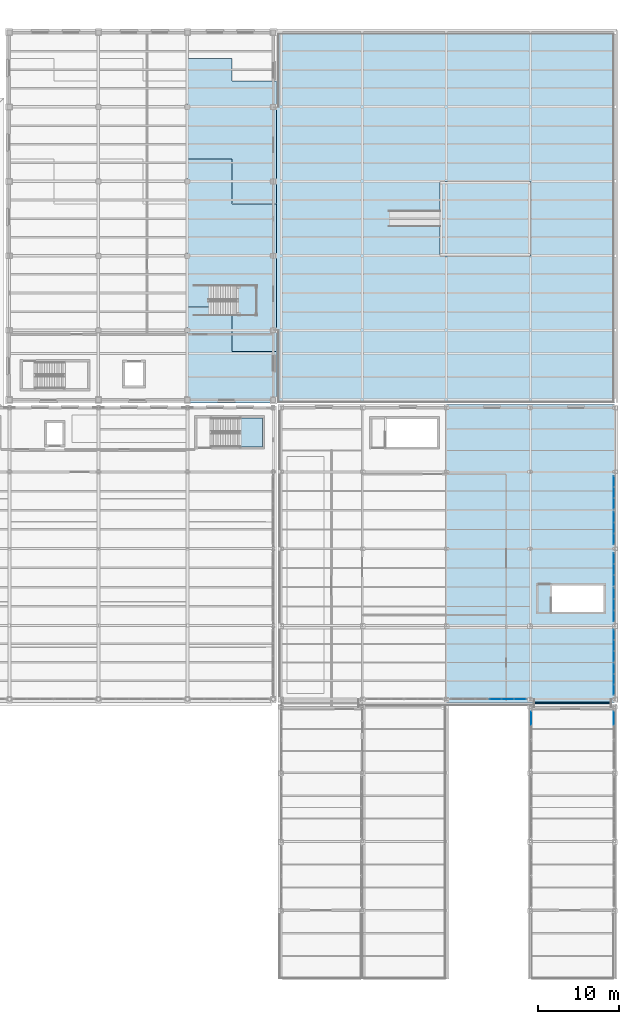
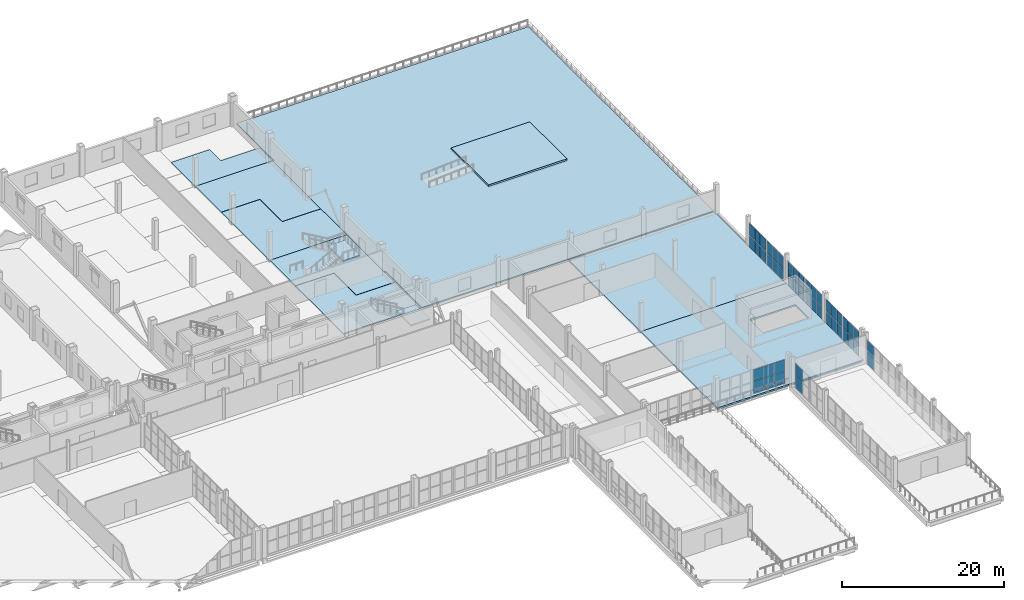
# One storey, part 110 of 156: 46 plates, 12 slabs, 11 elements without a shape of their own.
"""IFC4 building model written with IfcOpenShell, lengths in metres."""

from ifc_helpers import new_model, si_unit, direction, frame, origin, origin_2d, place, context, subcontext, project, spatial, polyline, rectangle, outline, extrude, material, layer, layer_set, type_object, element, aggregate, save


model = new_model("IFC4")

# Units and contexts
model_context = context("Model", 3, precision=1e-05, world=origin(), true_north=direction((0.0, 1.0)))
body_context = subcontext(model_context, "Body", "Model", "MODEL_VIEW")
ifc_project = project(units=[si_unit("LENGTHUNIT", "METRE"), si_unit("AREAUNIT", "SQUARE_METRE"), si_unit("VOLUMEUNIT", "CUBIC_METRE"), si_unit("PLANEANGLEUNIT", "RADIAN"), si_unit("MASSUNIT", "GRAM", prefix="KILO")], contexts=[model_context])

# Site, building, storey
site_placement = place(None, origin())
site = spatial("IfcSite", under=ifc_project, at=site_placement, CompositionType="ELEMENT")
building_placement = place(site_placement, origin())
building = spatial("IfcBuilding", under=site, at=building_placement, Name="Caurita Quay Ferry Terminal", CompositionType="ELEMENT")
storey_placement = place(building_placement, frame((0.0, 0.0, 5.39990234375)))
storey = spatial("IfcBuildingStorey", under=building, at=storey_placement, Name="L01", CompositionType="ELEMENT", Elevation=5.39990234375)

# Curtain wall, plates
ifc_material_1 = material(Name="Laminated solar-control insulated glass", Category="glass")
curtain_wall_type_1 = type_object("IfcCurtainWallType", Name="CW-SYS-16", PredefinedType="NOTDEFINED", material=ifc_material_1)
curtain_wall_1_placement = place(storey_placement, origin())
curtain_wall_1 = element("IfcCurtainWall", 1, at=curtain_wall_1_placement, inside=storey, type_object=curtain_wall_type_1, Name="Boarding Gangway Ribbon Curtain Wall 129", PredefinedType="NOTDEFINED")
ifc_layer_1 = layer(ifc_material_1, 0.02392578125, Name="Laminated low-e hurricane-rated glazing unit 24 mm")
ifc_layer_set_1 = layer_set([ifc_layer_1], Name="Laminated solar-control insulated glass")
plate_type_1 = type_object("IfcPlateType", Name="CW-PNL-24", PredefinedType="CURTAIN_PANEL", material=ifc_layer_set_1)
plate_1_placement = place(storey_placement, frame((163.699951171875, 32.237548828125, 0.05322265625), z_axis=(0.0, 0.0, 1.0), x_axis=(0.0, 1.0, 0.0)))
plate_1 = element("IfcPlate", 2, at=plate_1_placement, type_object=plate_type_1, Name="CW-BGW-129 Glazing Panel 3", PredefinedType="CURTAIN_PANEL", context=body_context, shape_type="SweptSolid", body=[
    extrude(rectangle(XDim=1.64892578125, YDim=0.02392578125, at=origin_2d()), origin(), (0.0, 0.0, 1.0), 1.79638671875),
])
plate_2_placement = place(storey_placement, frame((163.699951171875, 32.237548828125, 1.900634765625), z_axis=(0.0, 0.0, 1.0), x_axis=(0.0, 1.0, 0.0)))
plate_2 = element("IfcPlate", 3, at=plate_2_placement, type_object=plate_type_1, Name="CW-BGW-129 Glazing Panel 4", PredefinedType="CURTAIN_PANEL", context=body_context, shape_type="SweptSolid", body=[
    extrude(rectangle(XDim=1.64892578125, YDim=0.02392578125, at=origin_2d()), origin(), (0.0, 0.0, 1.0), 1.79638671875),
])
aggregate(curtain_wall_1, [plate_1, plate_2])

curtain_wall_2_placement = place(storey_placement, origin())
curtain_wall_2 = element("IfcCurtainWall", 4, at=curtain_wall_2_placement, inside=storey, type_object=curtain_wall_type_1, Name="Boarding Gangway Ribbon Curtain Wall 135", PredefinedType="NOTDEFINED")
plate_3_placement = place(storey_placement, frame((173.89990234375, 32.237548828125, 0.05322265625), z_axis=(0.0, 0.0, 1.0), x_axis=(0.0, 1.0, 0.0)))
plate_3 = element("IfcPlate", 5, at=plate_3_placement, type_object=plate_type_1, Name="CW-BGW-135 Glazing Panel 3", PredefinedType="CURTAIN_PANEL", context=body_context, shape_type="SweptSolid", body=[
    extrude(rectangle(XDim=1.64892578125, YDim=0.02392578125, at=origin_2d()), origin(), (0.0, 0.0, 1.0), 1.79638671875),
])
plate_4_placement = place(storey_placement, frame((173.89990234375, 32.237548828125, 1.900634765625), z_axis=(0.0, 0.0, 1.0), x_axis=(0.0, 1.0, 0.0)))
plate_4 = element("IfcPlate", 6, at=plate_4_placement, type_object=plate_type_1, Name="CW-BGW-135 Glazing Panel 4", PredefinedType="CURTAIN_PANEL", context=body_context, shape_type="SweptSolid", body=[
    extrude(rectangle(XDim=1.64892578125, YDim=0.02392578125, at=origin_2d()), origin(), (0.0, 0.0, 1.0), 1.79638671875),
])
aggregate(curtain_wall_2, [plate_3, plate_4])

curtain_wall_type_2 = type_object("IfcCurtainWallType", Name="CW-SYS-10", PredefinedType="NOTDEFINED", material=ifc_material_1)
curtain_wall_3_placement = place(storey_placement, origin())
curtain_wall_3 = element("IfcCurtainWall", 7, at=curtain_wall_3_placement, inside=storey, type_object=curtain_wall_type_2, Name="V3 Waterside Concourse Curtain Wall 076", PredefinedType="NOTDEFINED")
ifc_layer_2 = layer(ifc_material_1, 0.028076171875, Name="Laminated low-e hurricane-rated glazing unit 28 mm")
ifc_layer_set_2 = layer_set([ifc_layer_2], Name="Laminated solar-control insulated glass")
plate_type_2 = type_object("IfcPlateType", Name="CW-PNL-28", PredefinedType="CURTAIN_PANEL", material=ifc_layer_set_2)
plate_5_placement = place(storey_placement, frame((159.281982421875, 34.60009765625, 0.06298828125), z_axis=(0.0, 0.0, 1.0), x_axis=(1.0, 0.0, 0.0)))
plate_5 = element("IfcPlate", 8, at=plate_5_placement, type_object=plate_type_2, Name="CW-SEA-076 Glazing Panel 1", PredefinedType="CURTAIN_PANEL", context=body_context, shape_type="SweptSolid", body=[
    extrude(rectangle(XDim=1.418212890625, YDim=0.028076171875, at=origin_2d()), origin(), (0.0, 0.0, 1.0), 1.756591796875),
])
plate_6_placement = place(storey_placement, frame((159.281982421875, 34.60009765625, 1.88037109375), z_axis=(0.0, 0.0, 1.0), x_axis=(1.0, 0.0, 0.0)))
plate_6 = element("IfcPlate", 9, at=plate_6_placement, type_object=plate_type_2, Name="CW-SEA-076 Glazing Panel 2", PredefinedType="CURTAIN_PANEL", context=body_context, shape_type="SweptSolid", body=[
    extrude(rectangle(XDim=1.418212890625, YDim=0.028076171875, at=origin_2d()), origin(), (0.0, 0.0, 1.0), 1.756591796875),
])
plate_7_placement = place(storey_placement, frame((160.7900390625, 34.60009765625, 0.06298828125), z_axis=(0.0, 0.0, 1.0), x_axis=(1.0, 0.0, 0.0)))
plate_7 = element("IfcPlate", 10, at=plate_7_placement, type_object=plate_type_2, Name="CW-SEA-076 Glazing Panel 3", PredefinedType="CURTAIN_PANEL", context=body_context, shape_type="SweptSolid", body=[
    extrude(rectangle(XDim=1.455810546875, YDim=0.028076171875, at=origin_2d()), origin(), (0.0, 0.0, 1.0), 1.756591796875),
])
plate_8_placement = place(storey_placement, frame((160.7900390625, 34.60009765625, 1.88037109375), z_axis=(0.0, 0.0, 1.0), x_axis=(1.0, 0.0, 0.0)))
plate_8 = element("IfcPlate", 11, at=plate_8_placement, type_object=plate_type_2, Name="CW-SEA-076 Glazing Panel 4", PredefinedType="CURTAIN_PANEL", context=body_context, shape_type="SweptSolid", body=[
    extrude(rectangle(XDim=1.455810546875, YDim=0.028076171875, at=origin_2d()), origin(), (0.0, 0.0, 1.0), 1.756591796875),
])
plate_9_placement = place(storey_placement, frame((162.2978515625, 34.60009765625, 0.06298828125), z_axis=(0.0, 0.0, 1.0), x_axis=(1.0, 0.0, 0.0)))
plate_9 = element("IfcPlate", 12, at=plate_9_placement, type_object=plate_type_2, Name="CW-SEA-076 Glazing Panel 5", PredefinedType="CURTAIN_PANEL", context=body_context, shape_type="SweptSolid", body=[
    extrude(rectangle(XDim=1.418212890625, YDim=0.028076171875, at=origin_2d()), origin(), (0.0, 0.0, 1.0), 1.756591796875),
])
plate_10_placement = place(storey_placement, frame((162.2978515625, 34.60009765625, 1.88037109375), z_axis=(0.0, 0.0, 1.0), x_axis=(1.0, 0.0, 0.0)))
plate_10 = element("IfcPlate", 13, at=plate_10_placement, type_object=plate_type_2, Name="CW-SEA-076 Glazing Panel 6", PredefinedType="CURTAIN_PANEL", context=body_context, shape_type="SweptSolid", body=[
    extrude(rectangle(XDim=1.418212890625, YDim=0.028076171875, at=origin_2d()), origin(), (0.0, 0.0, 1.0), 1.756591796875),
])
aggregate(curtain_wall_3, [plate_5, plate_6, plate_7, plate_8, plate_9, plate_10])

curtain_wall_type_3 = type_object("IfcCurtainWallType", Name="CW-SYS-18", PredefinedType="NOTDEFINED", material=ifc_material_1)
curtain_wall_4_placement = place(storey_placement, origin())
curtain_wall_4 = element("IfcCurtainWall", 14, at=curtain_wall_4_placement, inside=storey, type_object=curtain_wall_type_3, Name="Boarding Headhouse East Curtain Wall 136", PredefinedType="NOTDEFINED")
plate_11_placement = place(storey_placement, frame((173.89990234375, 35.7578125, 0.05810546875), z_axis=(0.0, 0.0, 1.0), x_axis=(0.0, 1.0, 0.0)))
plate_11 = element("IfcPlate", 15, at=plate_11_placement, type_object=plate_type_2, Name="CW-V3E-136 Glazing Panel 1", PredefinedType="CURTAIN_PANEL", context=body_context, shape_type="SweptSolid", body=[
    extrude(rectangle(XDim=1.229736328125, YDim=0.028076171875, at=origin_2d()), origin(), (0.0, 0.0, 1.0), 1.7890625),
])
plate_12_placement = place(storey_placement, frame((173.89990234375, 35.7578125, 1.903076171875), z_axis=(0.0, 0.0, 1.0), x_axis=(0.0, 1.0, 0.0)))
plate_12 = element("IfcPlate", 16, at=plate_12_placement, type_object=plate_type_2, Name="CW-V3E-136 Glazing Panel 2", PredefinedType="CURTAIN_PANEL", context=body_context, shape_type="SweptSolid", body=[
    extrude(rectangle(XDim=1.229736328125, YDim=0.028076171875, at=origin_2d()), origin(), (0.0, 0.0, 1.0), 1.7890625),
])
plate_13_placement = place(storey_placement, frame((173.89990234375, 37.06494140625, 0.05810546875), z_axis=(0.0, 0.0, 1.0), x_axis=(0.0, 1.0, 0.0)))
plate_13 = element("IfcPlate", 17, at=plate_13_placement, type_object=plate_type_2, Name="CW-V3E-136 Glazing Panel 3", PredefinedType="CURTAIN_PANEL", context=body_context, shape_type="SweptSolid", body=[
    extrude(rectangle(XDim=1.26220703125, YDim=0.028076171875, at=origin_2d()), origin(), (0.0, 0.0, 1.0), 1.7890625),
])
plate_14_placement = place(storey_placement, frame((173.89990234375, 37.06494140625, 1.903076171875), z_axis=(0.0, 0.0, 1.0), x_axis=(0.0, 1.0, 0.0)))
plate_14 = element("IfcPlate", 18, at=plate_14_placement, type_object=plate_type_2, Name="CW-V3E-136 Glazing Panel 4", PredefinedType="CURTAIN_PANEL", context=body_context, shape_type="SweptSolid", body=[
    extrude(rectangle(XDim=1.26220703125, YDim=0.028076171875, at=origin_2d()), origin(), (0.0, 0.0, 1.0), 1.7890625),
])
plate_15_placement = place(storey_placement, frame((173.89990234375, 38.3720703125, 0.05810546875), z_axis=(0.0, 0.0, 1.0), x_axis=(0.0, 1.0, 0.0)))
plate_15 = element("IfcPlate", 19, at=plate_15_placement, type_object=plate_type_2, Name="CW-V3E-136 Glazing Panel 5", PredefinedType="CURTAIN_PANEL", context=body_context, shape_type="SweptSolid", body=[
    extrude(rectangle(XDim=1.229736328125, YDim=0.028076171875, at=origin_2d()), origin(), (0.0, 0.0, 1.0), 1.7890625),
])
plate_16_placement = place(storey_placement, frame((173.89990234375, 38.3720703125, 1.903076171875), z_axis=(0.0, 0.0, 1.0), x_axis=(0.0, 1.0, 0.0)))
plate_16 = element("IfcPlate", 20, at=plate_16_placement, type_object=plate_type_2, Name="CW-V3E-136 Glazing Panel 6", PredefinedType="CURTAIN_PANEL", context=body_context, shape_type="SweptSolid", body=[
    extrude(rectangle(XDim=1.229736328125, YDim=0.028076171875, at=origin_2d()), origin(), (0.0, 0.0, 1.0), 1.7890625),
])
aggregate(curtain_wall_4, [plate_11, plate_12, plate_13, plate_14, plate_15, plate_16])

curtain_wall_5_placement = place(storey_placement, origin())
curtain_wall_5 = element("IfcCurtainWall", 21, at=curtain_wall_5_placement, inside=storey, type_object=curtain_wall_type_3, Name="Boarding Headhouse East Curtain Wall 137", PredefinedType="NOTDEFINED")
plate_17_placement = place(storey_placement, frame((173.89990234375, 39.927978515625, 0.05810546875), z_axis=(0.0, 0.0, 1.0), x_axis=(0.0, 1.0, 0.0)))
plate_17 = element("IfcPlate", 22, at=plate_17_placement, type_object=plate_type_2, Name="CW-V3E-137 Glazing Panel 1", PredefinedType="CURTAIN_PANEL", context=body_context, shape_type="SweptSolid", body=[
    extrude(rectangle(XDim=1.229736328125, YDim=0.028076171875, at=origin_2d()), origin(), (0.0, 0.0, 1.0), 1.7890625),
])
plate_18_placement = place(storey_placement, frame((173.89990234375, 39.927978515625, 1.903076171875), z_axis=(0.0, 0.0, 1.0), x_axis=(0.0, 1.0, 0.0)))
plate_18 = element("IfcPlate", 23, at=plate_18_placement, type_object=plate_type_2, Name="CW-V3E-137 Glazing Panel 2", PredefinedType="CURTAIN_PANEL", context=body_context, shape_type="SweptSolid", body=[
    extrude(rectangle(XDim=1.229736328125, YDim=0.028076171875, at=origin_2d()), origin(), (0.0, 0.0, 1.0), 1.7890625),
])
plate_19_placement = place(storey_placement, frame((173.89990234375, 41.235107421875, 0.05810546875), z_axis=(0.0, 0.0, 1.0), x_axis=(0.0, 1.0, 0.0)))
plate_19 = element("IfcPlate", 24, at=plate_19_placement, type_object=plate_type_2, Name="CW-V3E-137 Glazing Panel 3", PredefinedType="CURTAIN_PANEL", context=body_context, shape_type="SweptSolid", body=[
    extrude(rectangle(XDim=1.26220703125, YDim=0.028076171875, at=origin_2d()), origin(), (0.0, 0.0, 1.0), 1.7890625),
])
plate_20_placement = place(storey_placement, frame((173.89990234375, 41.235107421875, 1.903076171875), z_axis=(0.0, 0.0, 1.0), x_axis=(0.0, 1.0, 0.0)))
plate_20 = element("IfcPlate", 25, at=plate_20_placement, type_object=plate_type_2, Name="CW-V3E-137 Glazing Panel 4", PredefinedType="CURTAIN_PANEL", context=body_context, shape_type="SweptSolid", body=[
    extrude(rectangle(XDim=1.26220703125, YDim=0.028076171875, at=origin_2d()), origin(), (0.0, 0.0, 1.0), 1.7890625),
])
plate_21_placement = place(storey_placement, frame((173.89990234375, 42.5419921875, 0.05810546875), z_axis=(0.0, 0.0, 1.0), x_axis=(0.0, 1.0, 0.0)))
plate_21 = element("IfcPlate", 26, at=plate_21_placement, type_object=plate_type_2, Name="CW-V3E-137 Glazing Panel 5", PredefinedType="CURTAIN_PANEL", context=body_context, shape_type="SweptSolid", body=[
    extrude(rectangle(XDim=1.229736328125, YDim=0.028076171875, at=origin_2d()), origin(), (0.0, 0.0, 1.0), 1.7890625),
])
plate_22_placement = place(storey_placement, frame((173.89990234375, 42.5419921875, 1.903076171875), z_axis=(0.0, 0.0, 1.0), x_axis=(0.0, 1.0, 0.0)))
plate_22 = element("IfcPlate", 27, at=plate_22_placement, type_object=plate_type_2, Name="CW-V3E-137 Glazing Panel 6", PredefinedType="CURTAIN_PANEL", context=body_context, shape_type="SweptSolid", body=[
    extrude(rectangle(XDim=1.229736328125, YDim=0.028076171875, at=origin_2d()), origin(), (0.0, 0.0, 1.0), 1.7890625),
])
aggregate(curtain_wall_5, [plate_17, plate_18, plate_19, plate_20, plate_21, plate_22])

curtain_wall_type_4 = type_object("IfcCurtainWallType", Name="CW-SYS-19", PredefinedType="NOTDEFINED", material=ifc_material_1)
curtain_wall_6_placement = place(storey_placement, origin())
curtain_wall_6 = element("IfcCurtainWall", 28, at=curtain_wall_6_placement, inside=storey, type_object=curtain_wall_type_4, Name="Boarding Headhouse East Curtain Wall 138", PredefinedType="NOTDEFINED")
plate_23_placement = place(storey_placement, frame((173.89990234375, 44.89111328125, 0.05810546875), z_axis=(0.0, 0.0, 1.0), x_axis=(0.0, 1.0, 0.0)))
plate_23 = element("IfcPlate", 29, at=plate_23_placement, type_object=plate_type_2, Name="CW-V3E-138 Glazing Panel 1", PredefinedType="CURTAIN_PANEL", context=body_context, shape_type="SweptSolid", body=[
    extrude(rectangle(XDim=1.29638671875, YDim=0.028076171875, at=origin_2d()), origin(), (0.0, 0.0, 1.0), 1.7890625),
])
plate_24_placement = place(storey_placement, frame((173.89990234375, 44.89111328125, 1.903076171875), z_axis=(0.0, 0.0, 1.0), x_axis=(0.0, 1.0, 0.0)))
plate_24 = element("IfcPlate", 30, at=plate_24_placement, type_object=plate_type_2, Name="CW-V3E-138 Glazing Panel 2", PredefinedType="CURTAIN_PANEL", context=body_context, shape_type="SweptSolid", body=[
    extrude(rectangle(XDim=1.29638671875, YDim=0.028076171875, at=origin_2d()), origin(), (0.0, 0.0, 1.0), 1.7890625),
])
plate_25_placement = place(storey_placement, frame((173.89990234375, 46.264892578125, 0.05810546875), z_axis=(0.0, 0.0, 1.0), x_axis=(0.0, 1.0, 0.0)))
plate_25 = element("IfcPlate", 31, at=plate_25_placement, type_object=plate_type_2, Name="CW-V3E-138 Glazing Panel 3", PredefinedType="CURTAIN_PANEL", context=body_context, shape_type="SweptSolid", body=[
    extrude(rectangle(XDim=1.3291015625, YDim=0.028076171875, at=origin_2d()), origin(), (0.0, 0.0, 1.0), 1.7890625),
])
plate_26_placement = place(storey_placement, frame((173.89990234375, 46.264892578125, 1.903076171875), z_axis=(0.0, 0.0, 1.0), x_axis=(0.0, 1.0, 0.0)))
plate_26 = element("IfcPlate", 32, at=plate_26_placement, type_object=plate_type_2, Name="CW-V3E-138 Glazing Panel 4", PredefinedType="CURTAIN_PANEL", context=body_context, shape_type="SweptSolid", body=[
    extrude(rectangle(XDim=1.3291015625, YDim=0.028076171875, at=origin_2d()), origin(), (0.0, 0.0, 1.0), 1.7890625),
])
plate_27_placement = place(storey_placement, frame((173.89990234375, 47.638916015625, 0.05810546875), z_axis=(0.0, 0.0, 1.0), x_axis=(0.0, 1.0, 0.0)))
plate_27 = element("IfcPlate", 33, at=plate_27_placement, type_object=plate_type_2, Name="CW-V3E-138 Glazing Panel 5", PredefinedType="CURTAIN_PANEL", context=body_context, shape_type="SweptSolid", body=[
    extrude(rectangle(XDim=1.29638671875, YDim=0.028076171875, at=origin_2d()), origin(), (0.0, 0.0, 1.0), 1.7890625),
])
plate_28_placement = place(storey_placement, frame((173.89990234375, 47.638916015625, 1.903076171875), z_axis=(0.0, 0.0, 1.0), x_axis=(0.0, 1.0, 0.0)))
plate_28 = element("IfcPlate", 34, at=plate_28_placement, type_object=plate_type_2, Name="CW-V3E-138 Glazing Panel 6", PredefinedType="CURTAIN_PANEL", context=body_context, shape_type="SweptSolid", body=[
    extrude(rectangle(XDim=1.29638671875, YDim=0.028076171875, at=origin_2d()), origin(), (0.0, 0.0, 1.0), 1.7890625),
])
aggregate(curtain_wall_6, [plate_23, plate_24, plate_25, plate_26, plate_27, plate_28])

curtain_wall_7_placement = place(storey_placement, origin())
curtain_wall_7 = element("IfcCurtainWall", 35, at=curtain_wall_7_placement, inside=storey, type_object=curtain_wall_type_4, Name="Boarding Headhouse East Curtain Wall 139", PredefinedType="NOTDEFINED")
plate_29_placement = place(storey_placement, frame((173.89990234375, 49.26123046875, 0.05810546875), z_axis=(0.0, 0.0, 1.0), x_axis=(0.0, 1.0, 0.0)))
plate_29 = element("IfcPlate", 36, at=plate_29_placement, type_object=plate_type_2, Name="CW-V3E-139 Glazing Panel 1", PredefinedType="CURTAIN_PANEL", context=body_context, shape_type="SweptSolid", body=[
    extrude(rectangle(XDim=1.29638671875, YDim=0.028076171875, at=origin_2d()), origin(), (0.0, 0.0, 1.0), 1.7890625),
])
plate_30_placement = place(storey_placement, frame((173.89990234375, 49.26123046875, 1.903076171875), z_axis=(0.0, 0.0, 1.0), x_axis=(0.0, 1.0, 0.0)))
plate_30 = element("IfcPlate", 37, at=plate_30_placement, type_object=plate_type_2, Name="CW-V3E-139 Glazing Panel 2", PredefinedType="CURTAIN_PANEL", context=body_context, shape_type="SweptSolid", body=[
    extrude(rectangle(XDim=1.29638671875, YDim=0.028076171875, at=origin_2d()), origin(), (0.0, 0.0, 1.0), 1.7890625),
])
plate_31_placement = place(storey_placement, frame((173.89990234375, 50.635009765625, 0.05810546875), z_axis=(0.0, 0.0, 1.0), x_axis=(0.0, 1.0, 0.0)))
plate_31 = element("IfcPlate", 38, at=plate_31_placement, type_object=plate_type_2, Name="CW-V3E-139 Glazing Panel 3", PredefinedType="CURTAIN_PANEL", context=body_context, shape_type="SweptSolid", body=[
    extrude(rectangle(XDim=1.3291015625, YDim=0.028076171875, at=origin_2d()), origin(), (0.0, 0.0, 1.0), 1.7890625),
])
plate_32_placement = place(storey_placement, frame((173.89990234375, 50.635009765625, 1.903076171875), z_axis=(0.0, 0.0, 1.0), x_axis=(0.0, 1.0, 0.0)))
plate_32 = element("IfcPlate", 39, at=plate_32_placement, type_object=plate_type_2, Name="CW-V3E-139 Glazing Panel 4", PredefinedType="CURTAIN_PANEL", context=body_context, shape_type="SweptSolid", body=[
    extrude(rectangle(XDim=1.3291015625, YDim=0.028076171875, at=origin_2d()), origin(), (0.0, 0.0, 1.0), 1.7890625),
])
plate_33_placement = place(storey_placement, frame((173.89990234375, 52.0087890625, 0.05810546875), z_axis=(0.0, 0.0, 1.0), x_axis=(0.0, 1.0, 0.0)))
plate_33 = element("IfcPlate", 40, at=plate_33_placement, type_object=plate_type_2, Name="CW-V3E-139 Glazing Panel 5", PredefinedType="CURTAIN_PANEL", context=body_context, shape_type="SweptSolid", body=[
    extrude(rectangle(XDim=1.29638671875, YDim=0.028076171875, at=origin_2d()), origin(), (0.0, 0.0, 1.0), 1.7890625),
])
plate_34_placement = place(storey_placement, frame((173.89990234375, 52.0087890625, 1.903076171875), z_axis=(0.0, 0.0, 1.0), x_axis=(0.0, 1.0, 0.0)))
plate_34 = element("IfcPlate", 41, at=plate_34_placement, type_object=plate_type_2, Name="CW-V3E-139 Glazing Panel 6", PredefinedType="CURTAIN_PANEL", context=body_context, shape_type="SweptSolid", body=[
    extrude(rectangle(XDim=1.29638671875, YDim=0.028076171875, at=origin_2d()), origin(), (0.0, 0.0, 1.0), 1.7890625),
])
aggregate(curtain_wall_7, [plate_29, plate_30, plate_31, plate_32, plate_33, plate_34])

curtain_wall_8_placement = place(storey_placement, origin())
curtain_wall_8 = element("IfcCurtainWall", 42, at=curtain_wall_8_placement, inside=storey, type_object=curtain_wall_type_4, Name="Boarding Headhouse East Curtain Wall 140", PredefinedType="NOTDEFINED")
plate_35_placement = place(storey_placement, frame((173.89990234375, 54.39111328125, 0.05810546875), z_axis=(0.0, 0.0, 1.0), x_axis=(0.0, 1.0, 0.0)))
plate_35 = element("IfcPlate", 43, at=plate_35_placement, type_object=plate_type_2, Name="CW-V3E-140 Glazing Panel 1", PredefinedType="CURTAIN_PANEL", context=body_context, shape_type="SweptSolid", body=[
    extrude(rectangle(XDim=1.29638671875, YDim=0.028076171875, at=origin_2d()), origin(), (0.0, 0.0, 1.0), 1.7890625),
])
plate_36_placement = place(storey_placement, frame((173.89990234375, 54.39111328125, 1.903076171875), z_axis=(0.0, 0.0, 1.0), x_axis=(0.0, 1.0, 0.0)))
plate_36 = element("IfcPlate", 44, at=plate_36_placement, type_object=plate_type_2, Name="CW-V3E-140 Glazing Panel 2", PredefinedType="CURTAIN_PANEL", context=body_context, shape_type="SweptSolid", body=[
    extrude(rectangle(XDim=1.29638671875, YDim=0.028076171875, at=origin_2d()), origin(), (0.0, 0.0, 1.0), 1.7890625),
])
plate_37_placement = place(storey_placement, frame((173.89990234375, 55.764892578125, 0.05810546875), z_axis=(0.0, 0.0, 1.0), x_axis=(0.0, 1.0, 0.0)))
plate_37 = element("IfcPlate", 45, at=plate_37_placement, type_object=plate_type_2, Name="CW-V3E-140 Glazing Panel 3", PredefinedType="CURTAIN_PANEL", context=body_context, shape_type="SweptSolid", body=[
    extrude(rectangle(XDim=1.3291015625, YDim=0.028076171875, at=origin_2d()), origin(), (0.0, 0.0, 1.0), 1.7890625),
])
plate_38_placement = place(storey_placement, frame((173.89990234375, 55.764892578125, 1.903076171875), z_axis=(0.0, 0.0, 1.0), x_axis=(0.0, 1.0, 0.0)))
plate_38 = element("IfcPlate", 46, at=plate_38_placement, type_object=plate_type_2, Name="CW-V3E-140 Glazing Panel 4", PredefinedType="CURTAIN_PANEL", context=body_context, shape_type="SweptSolid", body=[
    extrude(rectangle(XDim=1.3291015625, YDim=0.028076171875, at=origin_2d()), origin(), (0.0, 0.0, 1.0), 1.7890625),
])
plate_39_placement = place(storey_placement, frame((173.89990234375, 57.138916015625, 0.05810546875), z_axis=(0.0, 0.0, 1.0), x_axis=(0.0, 1.0, 0.0)))
plate_39 = element("IfcPlate", 47, at=plate_39_placement, type_object=plate_type_2, Name="CW-V3E-140 Glazing Panel 5", PredefinedType="CURTAIN_PANEL", context=body_context, shape_type="SweptSolid", body=[
    extrude(rectangle(XDim=1.29638671875, YDim=0.028076171875, at=origin_2d()), origin(), (0.0, 0.0, 1.0), 1.7890625),
])
plate_40_placement = place(storey_placement, frame((173.89990234375, 57.138916015625, 1.903076171875), z_axis=(0.0, 0.0, 1.0), x_axis=(0.0, 1.0, 0.0)))
plate_40 = element("IfcPlate", 48, at=plate_40_placement, type_object=plate_type_2, Name="CW-V3E-140 Glazing Panel 6", PredefinedType="CURTAIN_PANEL", context=body_context, shape_type="SweptSolid", body=[
    extrude(rectangle(XDim=1.29638671875, YDim=0.028076171875, at=origin_2d()), origin(), (0.0, 0.0, 1.0), 1.7890625),
])
aggregate(curtain_wall_8, [plate_35, plate_36, plate_37, plate_38, plate_39, plate_40])

curtain_wall_9_placement = place(storey_placement, origin())
curtain_wall_9 = element("IfcCurtainWall", 49, at=curtain_wall_9_placement, inside=storey, type_object=curtain_wall_type_4, Name="Boarding Headhouse East Curtain Wall 141", PredefinedType="NOTDEFINED")
plate_41_placement = place(storey_placement, frame((173.89990234375, 58.76123046875, 0.05810546875), z_axis=(0.0, 0.0, 1.0), x_axis=(0.0, 1.0, 0.0)))
plate_41 = element("IfcPlate", 50, at=plate_41_placement, type_object=plate_type_2, Name="CW-V3E-141 Glazing Panel 1", PredefinedType="CURTAIN_PANEL", context=body_context, shape_type="SweptSolid", body=[
    extrude(rectangle(XDim=1.29638671875, YDim=0.028076171875, at=origin_2d()), origin(), (0.0, 0.0, 1.0), 1.7890625),
])
plate_42_placement = place(storey_placement, frame((173.89990234375, 58.76123046875, 1.903076171875), z_axis=(0.0, 0.0, 1.0), x_axis=(0.0, 1.0, 0.0)))
plate_42 = element("IfcPlate", 51, at=plate_42_placement, type_object=plate_type_2, Name="CW-V3E-141 Glazing Panel 2", PredefinedType="CURTAIN_PANEL", context=body_context, shape_type="SweptSolid", body=[
    extrude(rectangle(XDim=1.29638671875, YDim=0.028076171875, at=origin_2d()), origin(), (0.0, 0.0, 1.0), 1.7890625),
])
plate_43_placement = place(storey_placement, frame((173.89990234375, 60.135009765625, 0.05810546875), z_axis=(0.0, 0.0, 1.0), x_axis=(0.0, 1.0, 0.0)))
plate_43 = element("IfcPlate", 52, at=plate_43_placement, type_object=plate_type_2, Name="CW-V3E-141 Glazing Panel 3", PredefinedType="CURTAIN_PANEL", context=body_context, shape_type="SweptSolid", body=[
    extrude(rectangle(XDim=1.3291015625, YDim=0.028076171875, at=origin_2d()), origin(), (0.0, 0.0, 1.0), 1.7890625),
])
plate_44_placement = place(storey_placement, frame((173.89990234375, 60.135009765625, 1.903076171875), z_axis=(0.0, 0.0, 1.0), x_axis=(0.0, 1.0, 0.0)))
plate_44 = element("IfcPlate", 53, at=plate_44_placement, type_object=plate_type_2, Name="CW-V3E-141 Glazing Panel 4", PredefinedType="CURTAIN_PANEL", context=body_context, shape_type="SweptSolid", body=[
    extrude(rectangle(XDim=1.3291015625, YDim=0.028076171875, at=origin_2d()), origin(), (0.0, 0.0, 1.0), 1.7890625),
])
plate_45_placement = place(storey_placement, frame((173.89990234375, 61.5087890625, 0.05810546875), z_axis=(0.0, 0.0, 1.0), x_axis=(0.0, 1.0, 0.0)))
plate_45 = element("IfcPlate", 54, at=plate_45_placement, type_object=plate_type_2, Name="CW-V3E-141 Glazing Panel 5", PredefinedType="CURTAIN_PANEL", context=body_context, shape_type="SweptSolid", body=[
    extrude(rectangle(XDim=1.29638671875, YDim=0.028076171875, at=origin_2d()), origin(), (0.0, 0.0, 1.0), 1.7890625),
])
plate_46_placement = place(storey_placement, frame((173.89990234375, 61.5087890625, 1.903076171875), z_axis=(0.0, 0.0, 1.0), x_axis=(0.0, 1.0, 0.0)))
plate_46 = element("IfcPlate", 55, at=plate_46_placement, type_object=plate_type_2, Name="CW-V3E-141 Glazing Panel 6", PredefinedType="CURTAIN_PANEL", context=body_context, shape_type="SweptSolid", body=[
    extrude(rectangle(XDim=1.29638671875, YDim=0.028076171875, at=origin_2d()), origin(), (0.0, 0.0, 1.0), 1.7890625),
])
aggregate(curtain_wall_9, [plate_41, plate_42, plate_43, plate_44, plate_45, plate_46])

# Slabs
ifc_material_2 = material(Name="Reinforced concrete C35/45", Category="concrete")
ifc_layer_3 = layer(ifc_material_2, 0.219970703125, Name="Reinforced concrete floor slab 220 mm")
ifc_layer_set_3 = layer_set([ifc_layer_3], Name="Reinforced concrete C35/45")
slab_type_1 = type_object("IfcSlabType", Name="SLB-FLR-220", PredefinedType="FLOOR", material=ifc_layer_set_3)
slab_1_placement = place(storey_placement, frame((0.0, 0.0, -0.219970703125)))
element("IfcSlab", 56, at=slab_1_placement, inside=storey, type_object=slab_type_1, Name="L01 SJ3-GW2 Slab 01", PredefinedType="FLOOR", context=body_context, shape_type="SweptSolid", body=[
    extrude(outline(polyline([(164.0, 34.010009765625), (173.60009765625, 34.010009765625), (173.60009765625, 34.18994140625), (164.0, 34.18994140625), (164.0, 34.010009765625)])), origin(), (0.0, 0.0, 1.0), 0.219970703125),
])
ifc_layer_4 = layer(ifc_material_2, 0.235107421875, Name="Reinforced concrete floor slab 235 mm")
ifc_layer_set_4 = layer_set([ifc_layer_4], Name="Reinforced concrete C35/45")
slab_type_2 = type_object("IfcSlabType", Name="SLB-FLR-235", PredefinedType="FLOOR", material=ifc_layer_set_4)
slab_2_placement = place(storey_placement, frame((0.0, 0.0, -0.23486328125)))
element("IfcSlab", 57, at=slab_2_placement, inside=storey, type_object=slab_type_2, Name="L01 V3-HH Slab 03", PredefinedType="FLOOR", context=body_context, shape_type="SweptSolid", body=[
    extrude(outline(polyline([(153.199951171875, 34.199951171875), (174.0, 34.199951171875), (174.0, 53.199951171875), (153.199951171875, 53.199951171875), (153.199951171875, 34.199951171875)]), holes=[polyline([(166.14990234375, 45.39990234375), (172.64990234375, 45.39990234375), (172.64990234375, 48.659912109375), (166.14990234375, 48.659912109375), (166.14990234375, 45.39990234375)])]), origin(), (0.0, 0.0, 1.0), 0.23486328125),
])
slab_3_placement = place(storey_placement, frame((0.0, 0.0, -0.23486328125)))
element("IfcSlab", 58, at=slab_3_placement, inside=storey, type_object=slab_type_2, Name="L01 V3-HH Slab 04", PredefinedType="FLOOR", context=body_context, shape_type="SweptSolid", body=[
    extrude(outline(polyline([(153.199951171875, 53.199951171875), (174.0, 53.199951171875), (174.0, 71.0), (153.199951171875, 71.0), (153.199951171875, 53.199951171875)])), origin(), (0.0, 0.0, 1.0), 0.23486328125),
])
ifc_layer_5 = layer(ifc_material_2, 0.260009765625, Name="Reinforced concrete floor slab 260 mm")
ifc_layer_set_5 = layer_set([ifc_layer_5], Name="Reinforced concrete C35/45")
slab_type_3 = type_object("IfcSlabType", Name="SLB-GDN-260", PredefinedType="FLOOR", material=ifc_layer_set_5)
slab_4_placement = place(storey_placement, frame((0.0, 0.0, 0.190185546875)))
element("IfcSlab", 59, at=slab_4_placement, inside=storey, type_object=slab_type_3, Name="Roof Garden Raised Belvedere Deck", PredefinedType="FLOOR", context=body_context, shape_type="SweptSolid", body=[
    extrude(outline(polyline([(152.39990234375, 89.39990234375), (163.60009765625, 89.39990234375), (163.60009765625, 98.60009765625), (152.39990234375, 98.60009765625), (152.39990234375, 89.39990234375)])), origin(), (0.0, 0.0, 1.0), 0.260009765625),
])

# Stair, slab
stair_type_1 = type_object("IfcStairType", Name="STR-DL-11", PredefinedType="HALF_TURN_STAIR", material=ifc_material_2)
stair_1_placement = place(storey_placement, origin())
stair_1 = element("IfcStair", 60, at=stair_1_placement, inside=storey, type_object=stair_type_1, Name="L01 Protected Exit Stair ST-09", PredefinedType="HALF_TURN_STAIR")
ifc_layer_6 = layer(ifc_material_2, 0.199951171875, Name="Reinforced concrete landing slab 200 mm")
ifc_layer_set_6 = layer_set([ifc_layer_6], Name="Reinforced concrete C35/45")
slab_type_4 = type_object("IfcSlabType", Name="SLB-LND-200", PredefinedType="LANDING", material=ifc_layer_set_6)
slab_5_placement = place(storey_placement, frame((0.0, 0.0, 2.050048828125)))
slab_5 = element("IfcSlab", 61, at=slab_5_placement, type_object=slab_type_4, Name="ST-09 landing 1", PredefinedType="LANDING", context=body_context, shape_type="SweptSolid", body=[
    extrude(outline(polyline([(127.699951171875, 65.800048828125), (130.449951171875, 65.800048828125), (130.449951171875, 69.360107421875), (127.699951171875, 69.360107421875), (127.699951171875, 65.800048828125)])), origin(), (0.0, 0.0, 1.0), 0.199951171875),
])
aggregate(stair_1, [slab_5])

stair_type_2 = type_object("IfcStairType", Name="STR-DL-14", PredefinedType="HALF_TURN_STAIR", material=ifc_material_2)
stair_2_placement = place(storey_placement, origin())
stair_2 = element("IfcStair", 62, at=stair_2_placement, inside=storey, type_object=stair_type_2, Name="L01 Promenade Stair ST-13", PredefinedType="HALF_TURN_STAIR")
slab_6_placement = place(storey_placement, frame((0.0, 0.0, 2.050048828125)))
slab_6 = element("IfcSlab", 63, at=slab_6_placement, type_object=slab_type_4, Name="ST-13 landing 1", PredefinedType="LANDING", context=body_context, shape_type="SweptSolid", body=[
    extrude(outline(polyline([(127.39990234375, 82.0), (129.800048828125, 82.0), (129.800048828125, 85.760009765625), (127.39990234375, 85.760009765625), (127.39990234375, 82.0)])), origin(), (0.0, 0.0, 1.0), 0.199951171875),
])
aggregate(stair_2, [slab_6])

# Slabs
ifc_layer_7 = layer(ifc_material_2, 0.18994140625, Name="Reinforced concrete roof slab 190 mm")
ifc_layer_set_7 = layer_set([ifc_layer_7], Name="Reinforced concrete C35/45")
slab_type_5 = type_object("IfcSlabType", Name="SLB-RF-190", PredefinedType="ROOF", material=ifc_layer_set_7)
slab_7_placement = place(storey_placement, frame((0.0, 0.0, -0.18994140625)))
element("IfcSlab", 64, at=slab_7_placement, inside=storey, type_object=slab_type_5, Name="East Lower Walkable Roof Garden", PredefinedType="ROOF", context=body_context, shape_type="SweptSolid", body=[
    extrude(outline(polyline([(132.39990234375, 71.199951171875), (174.0, 71.199951171875), (174.0, 117.0), (132.39990234375, 117.0), (132.39990234375, 107.800048828125), (132.199951171875, 107.800048828125), (132.199951171875, 80.199951171875), (132.39990234375, 80.199951171875), (132.39990234375, 71.199951171875)])), origin(), (0.0, 0.0, 1.0), 0.18994140625),
])
ifc_layer_8 = layer(ifc_material_2, 0.179931640625, Name="Reinforced concrete floor slab 180 mm")
ifc_layer_set_8 = layer_set([ifc_layer_8], Name="Reinforced concrete C35/45")
slab_type_6 = type_object("IfcSlabType", Name="SLB-VD-180", PredefinedType="FLOOR", material=ifc_layer_set_8)
slab_8_placement = place(storey_placement, frame((0.0, 0.0, -0.179931640625)))
element("IfcSlab", 65, at=slab_8_placement, inside=storey, type_object=slab_type_6, Name="L01 V4W-FLR Slab 07A", PredefinedType="FLOOR", context=body_context, shape_type="SweptSolid", body=[
    extrude(outline(polyline([(121.199951171875, 71.199951171875), (132.199951171875, 71.199951171875), (132.199951171875, 77.554931640625), (126.68505859375, 77.554931640625), (126.68505859375, 83.014892578125), (121.199951171875, 83.014892578125), (121.199951171875, 71.199951171875)])), origin(), (0.0, 0.0, 1.0), 0.179931640625),
])
slab_9_placement = place(storey_placement, frame((0.0, 0.0, -0.179931640625)))
element("IfcSlab", 66, at=slab_9_placement, inside=storey, type_object=slab_type_6, Name="L01 V4W-FLR Slab 07B", PredefinedType="FLOOR", context=body_context, shape_type="SweptSolid", body=[
    extrude(outline(polyline([(126.715087890625, 77.5849609375), (132.199951171875, 77.5849609375), (132.199951171875, 89.39990234375), (121.199951171875, 89.39990234375), (121.199951171875, 83.044921875), (126.715087890625, 83.044921875), (126.715087890625, 77.5849609375)])), origin(), (0.0, 0.0, 1.0), 0.179931640625),
])
slab_10_placement = place(storey_placement, frame((0.0, 0.0, -0.179931640625)))
element("IfcSlab", 67, at=slab_10_placement, inside=storey, type_object=slab_type_6, Name="L01 V4W-FLR Slab 08A", PredefinedType="FLOOR", context=body_context, shape_type="SweptSolid", body=[
    extrude(outline(polyline([(121.199951171875, 89.39990234375), (132.199951171875, 89.39990234375), (132.199951171875, 95.824951171875), (126.68505859375, 95.824951171875), (126.68505859375, 101.344970703125), (121.199951171875, 101.344970703125), (121.199951171875, 89.39990234375)])), origin(), (0.0, 0.0, 1.0), 0.179931640625),
])
slab_11_placement = place(storey_placement, frame((0.0, 0.0, -0.179931640625)))
element("IfcSlab", 68, at=slab_11_placement, inside=storey, type_object=slab_type_6, Name="L01 V4W-FLR Slab 08B", PredefinedType="FLOOR", context=body_context, shape_type="SweptSolid", body=[
    extrude(outline(polyline([(126.715087890625, 95.85498046875), (132.199951171875, 95.85498046875), (132.199951171875, 107.800048828125), (121.199951171875, 107.800048828125), (121.199951171875, 101.375), (126.715087890625, 101.375), (126.715087890625, 95.85498046875)])), origin(), (0.0, 0.0, 1.0), 0.179931640625),
])
slab_12_placement = place(storey_placement, frame((0.0, 0.0, -0.179931640625)))
element("IfcSlab", 69, at=slab_12_placement, inside=storey, type_object=slab_type_6, Name="L01 V4W-FLR Slab 09A", PredefinedType="FLOOR", context=body_context, shape_type="SweptSolid", body=[
    extrude(outline(polyline([(121.199951171875, 107.800048828125), (132.199951171875, 107.800048828125), (132.199951171875, 111.0048828125), (126.68505859375, 111.0048828125), (126.68505859375, 113.764892578125), (121.199951171875, 113.764892578125), (121.199951171875, 107.800048828125)])), origin(), (0.0, 0.0, 1.0), 0.179931640625),
])

save(model, "model.ifc")
